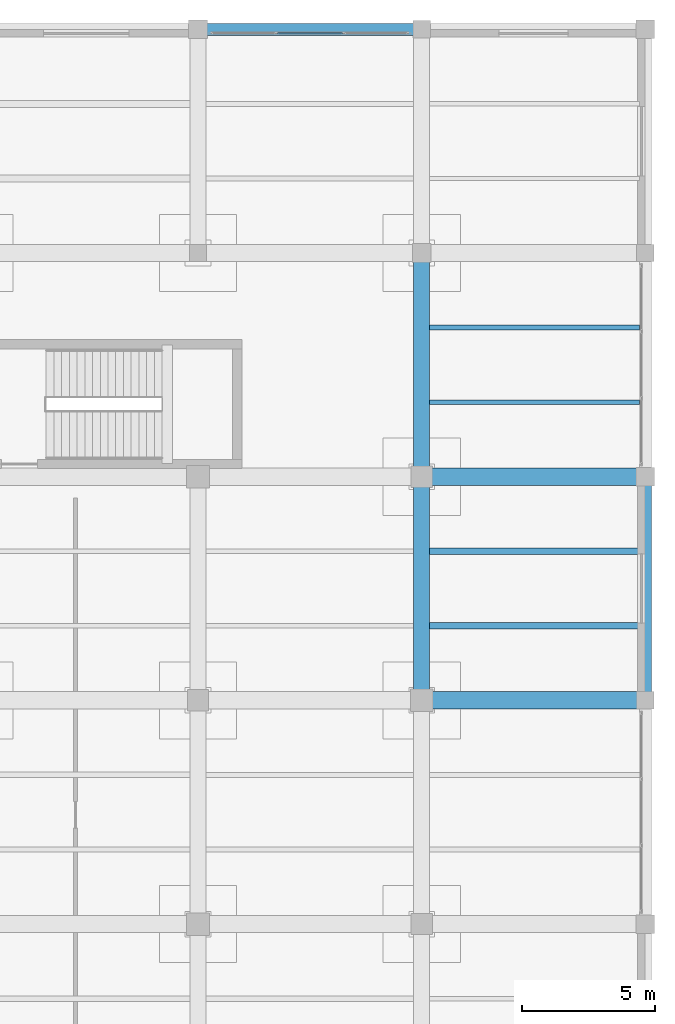
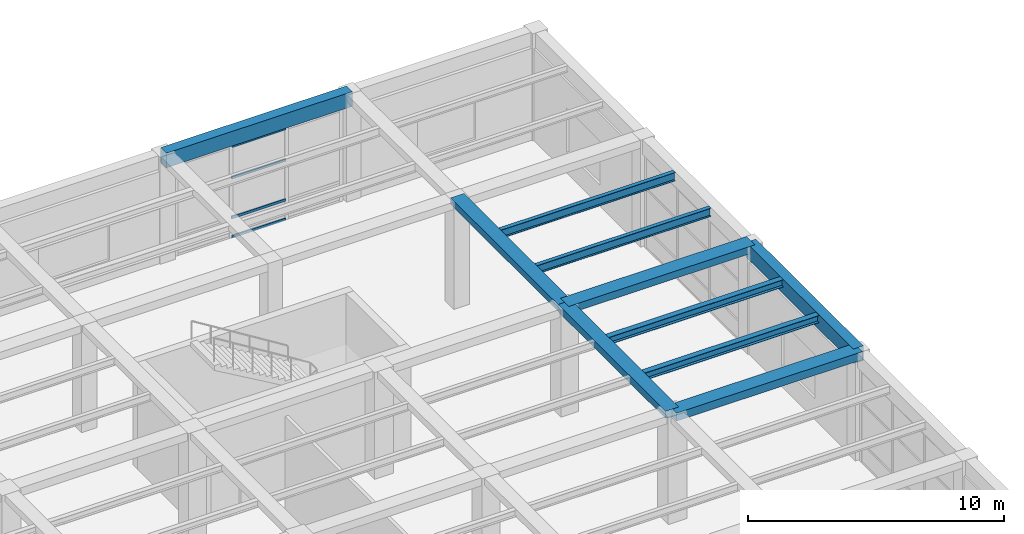
# One storey, part 64 of 96: 10 beams, 4 members, 1 element without a shape of its own.
"""IFC4 building model written with IfcOpenShell, lengths in metres."""

import ifcopenshell
import ifcopenshell.guid

model = None  # the IFC model being written
_history = None  # IfcOwnerHistory: only IFC2X3 demands one
_inside = {}  # id of a spatial element -> (the spatial element, [elements in it])
_under = {}  # id of a project, library or spatial element -> (it, [spatial elements below it])
_declared = {}  # id of a project -> (the project, [libraries it declares])
_typed = {}  # id of a type object -> (the type object, [elements of that type])
_made_of = {}  # id of a material, layer set ... -> (it, [elements and type objects made of it])


def new_model(schema):
    """Start an empty IFC model of exactly this schema.

    Asked for "IFC4X3", IfcOpenShell would pick the latest addendum, in which some entities
    have other attributes; the version numbers below select the first issue.
    IFC2X3 requires an IfcOwnerHistory on every rooted entity: one is made here for all.
    """
    global model, _history
    if schema == "IFC4X3":
        model = ifcopenshell.file(schema_version=(4, 3, 0, 0))
    else:
        model = ifcopenshell.file(schema=schema)
    _inside.clear()
    _under.clear()
    _declared.clear()
    _typed.clear()
    _made_of.clear()
    _history = None
    if model.schema == "IFC2X3":
        org = make("IfcOrganization", Name="unknown")
        user = make(
            "IfcPersonAndOrganization",
            ThePerson=make("IfcPerson", FamilyName="unknown"),
            TheOrganization=org,
        )
        app = make(
            "IfcApplication",
            ApplicationDeveloper=org,
            Version="unknown",
            ApplicationFullName="unknown",
            ApplicationIdentifier="unknown",
        )
        _history = make(
            "IfcOwnerHistory",
            OwningUser=user,
            OwningApplication=app,
            ChangeAction="ADDED",
            CreationDate=0,
        )
    return model


def make(cls, **values):
    """One entity of the class cls with the attributes given. An attribute that is None is left unset."""
    return model.create_entity(
        cls, **{name: value for name, value in values.items() if value is not None}
    )


def rooted(cls, **values):
    """An entity with a GlobalId (a new one), such as an element, a storey or a relation."""
    return make(cls, GlobalId=ifcopenshell.guid.new(), OwnerHistory=_history, **values)


def si_unit(unit_type, name, prefix=None):
    """IfcSIUnit, for example si_unit("LENGTHUNIT", "METRE", prefix="MILLI")."""
    return make("IfcSIUnit", UnitType=unit_type, Prefix=prefix, Name=name)


def assignment(units):
    """IfcUnitAssignment: the units of a project."""
    return None if units is None else make("IfcUnitAssignment", Units=units)


def point(xyz):
    """IfcCartesianPoint."""
    return None if xyz is None else make("IfcCartesianPoint", Coordinates=xyz)


def direction(xyz):
    """IfcDirection."""
    return None if xyz is None else make("IfcDirection", DirectionRatios=xyz)


def frame(location, z_axis=None, x_axis=None):
    """IfcAxis2Placement3D, a coordinate frame: its origin and axes. An axis left out is left unset."""
    return make(
        "IfcAxis2Placement3D",
        Location=point(location),
        Axis=direction(z_axis),
        RefDirection=direction(x_axis),
    )


def frame_2d(location, x_axis=None):
    """IfcAxis2Placement2D, a coordinate frame in the plane: its origin and x axis."""
    return make(
        "IfcAxis2Placement2D", Location=point(location), RefDirection=direction(x_axis)
    )


def origin():
    """The frame at (0, 0, 0) with its axes left unset."""
    return frame((0.0, 0.0, 0.0))


def origin_2d():
    """The frame at (0, 0) in the plane with its x axis left unset."""
    return frame_2d((0.0, 0.0))


def place(relative_to, where):
    """IfcLocalPlacement: puts the frame where relative to a parent placement (None: the world)."""
    return make(
        "IfcLocalPlacement", PlacementRelTo=relative_to, RelativePlacement=where
    )


def context(
    kind, dimensions, precision=None, world=None, true_north=None, identifier=None
):
    """IfcGeometricRepresentationContext, for example the 3D "Model" context."""
    return make(
        "IfcGeometricRepresentationContext",
        ContextIdentifier=identifier,
        ContextType=kind,
        CoordinateSpaceDimension=dimensions,
        Precision=precision,
        WorldCoordinateSystem=world,
        TrueNorth=true_north,
    )


def subcontext(parent, identifier, kind, view, scale=None):
    """IfcGeometricRepresentationSubContext, for example "Body" below "Model"."""
    return make(
        "IfcGeometricRepresentationSubContext",
        ContextIdentifier=identifier,
        ContextType=kind,
        ParentContext=parent,
        TargetScale=scale,
        TargetView=view,
    )


def project(units=None, contexts=None):
    """IfcProject with its units and contexts."""
    return rooted(
        "IfcProject",
        Name="project",
        RepresentationContexts=contexts,
        UnitsInContext=assignment(units),
    )


def spatial(cls, under=None, at=None, **own):
    """A site, building, storey or space (cls), placed at a placement, below another one or the project."""
    s = rooted(cls, ObjectPlacement=at, **own)
    if under is not None:
        _under.setdefault(under.id(), (under, []))[1].append(s)
    return s


def profile(cls, at=None, kind="AREA", **sizes):
    """A parametric profile (cls). Its sizes go by their IFC names, for example OverallWidth=200.0."""
    return make(cls, ProfileType=kind, Position=at, **sizes)


def rectangle(**sizes):
    """IfcRectangleProfileDef."""
    return profile("IfcRectangleProfileDef", **sizes)


def hollow_rectangle(**sizes):
    """IfcRectangleHollowProfileDef."""
    return profile("IfcRectangleHollowProfileDef", **sizes)


def i_section(**sizes):
    """IfcIShapeProfileDef."""
    return profile("IfcIShapeProfileDef", **sizes)


def extrude(swept, where, along, depth):
    """IfcExtrudedAreaSolid: the profile swept, set in the frame where, extruded along a direction by depth."""
    return make(
        "IfcExtrudedAreaSolid",
        SweptArea=swept,
        Position=where,
        ExtrudedDirection=direction(along),
        Depth=depth,
    )


def shape(context_of_items, identifier, shape_type, items):
    """IfcShapeRepresentation: the items that make up one representation, for example the "Body"."""
    return make(
        "IfcShapeRepresentation",
        ContextOfItems=context_of_items,
        RepresentationIdentifier=identifier,
        RepresentationType=shape_type,
        Items=items,
    )


def material(Name=None, Category=None):
    """IfcMaterial."""
    return make("IfcMaterial", Name=Name, Category=Category)


def material_profile(
    of_material, cross_section, Name=None, Category=None, Priority=None
):
    """IfcMaterialProfile: a cross section and its material."""
    return make(
        "IfcMaterialProfile",
        Name=Name,
        Material=of_material,
        Profile=cross_section,
        Priority=Priority,
        Category=Category,
    )


def profile_set(profiles, Name=None, composite=None):
    """IfcMaterialProfileSet."""
    return make(
        "IfcMaterialProfileSet",
        Name=Name,
        MaterialProfiles=profiles,
        CompositeProfile=composite,
    )


def made_of(thing, what):
    """Note that an element or type object is made of a material, layer set ...; save() writes the relation."""
    if what is not None:
        _made_of.setdefault(what.id(), (what, []))[1].append(thing)
    return thing


def type_object(cls, material=None, **own):
    """A type object (cls), such as IfcWallType, which elements share."""
    return made_of(rooted(cls, **own), material)


def element(
    cls,
    number,
    at=None,
    inside=None,
    cuts=None,
    type_object=None,
    material=None,
    context=None,
    identifier="Body",
    shape_type=None,
    held_by="IfcProductDefinitionShape",
    body=None,
    shapes=None,
    **own,
):
    """One element of the class cls, such as IfcWall. Its Tag is "e" and its number.

    at: its placement. inside: the storey or other place that contains it. cuts: it is an
    opening in that element (IfcRelVoidsElement). A single representation is given by context,
    identifier, shape_type and body (its items); several are given by shapes. held_by: the class
    of the entity that holds the representations. save() writes the other relations.
    """
    e = rooted(cls, Tag="e%d" % number, ObjectPlacement=at, **own)
    if body is not None:
        shapes = [shape(context, identifier, shape_type, body)]
    if shapes is not None:
        e.Representation = make(held_by, Representations=shapes)
    if inside is not None:
        _inside.setdefault(inside.id(), (inside, []))[1].append(e)
    if cuts is not None:
        rooted(
            "IfcRelVoidsElement", RelatingBuildingElement=cuts, RelatedOpeningElement=e
        )
    if type_object is not None:
        _typed.setdefault(type_object.id(), (type_object, []))[1].append(e)
    return made_of(e, material)


def aggregate(whole, parts):
    """IfcRelAggregates: a whole, such as a stair, and the parts it consists of."""
    return rooted("IfcRelAggregates", RelatingObject=whole, RelatedObjects=parts)


def save(model, path):
    """Write the relations noted so far, then the file.

    IfcRelAggregates (storeys below a building ...), IfcRelContainedInSpatialStructure (elements
    in a storey), IfcRelDefinesByType, IfcRelAssociatesMaterial and IfcRelDeclares: one each for
    every whole, place, type object, material and project.
    """
    for whole, parts in _under.values():
        aggregate(whole, parts)
    for where, things in _inside.values():
        rooted(
            "IfcRelContainedInSpatialStructure",
            RelatedElements=things,
            RelatingStructure=where,
        )
    for kind, things in _typed.values():
        rooted("IfcRelDefinesByType", RelatedObjects=things, RelatingType=kind)
    for what, things in _made_of.values():
        rooted("IfcRelAssociatesMaterial", RelatedObjects=things, RelatingMaterial=what)
    for by, libraries in _declared.values():
        rooted("IfcRelDeclares", RelatingContext=by, RelatedDefinitions=libraries)
    model.write(path)


model = new_model("IFC4")

# Units and contexts
model_context = context("Model", 3, precision=1e-05, world=origin(), true_north=direction((0.0, 1.0)))
body_context = subcontext(model_context, "Body", "Model", "MODEL_VIEW")
ifc_project = project(units=[si_unit("LENGTHUNIT", "METRE"), si_unit("AREAUNIT", "SQUARE_METRE"), si_unit("VOLUMEUNIT", "CUBIC_METRE"), si_unit("PLANEANGLEUNIT", "RADIAN"), si_unit("MASSUNIT", "GRAM", prefix="KILO")], contexts=[model_context])

# Site, building, storey
site_placement = place(None, origin())
site = spatial("IfcSite", under=ifc_project, at=site_placement, CompositionType="ELEMENT")
building_placement = place(site_placement, origin())
building = spatial("IfcBuilding", under=site, at=building_placement, Name="Almacenes y Pasaje Nevantli", CompositionType="ELEMENT")
storey_placement = place(building_placement, frame((0.0, 0.0, 6.0)))
storey = spatial("IfcBuildingStorey", under=building, at=storey_placement, Name="L02", CompositionType="ELEMENT", Elevation=6.0)

# Beams
ifc_material_1 = material(Name="Concrete C35/45", Category="concrete")
ifc_material_profile_1 = material_profile(ifc_material_1, rectangle(XDim=0.449951171875, YDim=0.699951171875, at=origin_2d()), Name="RC-BM-450x700")
ifc_profile_set_1 = profile_set([ifc_material_profile_1], Name="Concrete C35/45")
beam_type_1 = type_object("IfcBeamType", Name="BM-RC-450x700", PredefinedType="SPANDREL", material=ifc_profile_set_1)
for number, where, z_axis, x_axis, name in (
    (1, (151.199951171875, 117.60009765625, 4.75), (1.0, 0.0, 0.0), (0.0, 1.0, 0.0), "L02 East-West Reinforced Concrete Beam #1964"),
    (2, (168.0, 92.39990234375, 4.75), (0.0, 1.0, 0.0), (-1.0, 0.0, 0.0), "L02 North-South Reinforced Concrete Beam #2200"),
):
    element("IfcBeam", number, at=place(storey_placement, frame(where, z_axis=z_axis, x_axis=x_axis)), inside=storey, type_object=beam_type_1, Name=name, PredefinedType="SPANDREL", context=body_context, shape_type="SweptSolid", body=[
        extrude(rectangle(XDim=0.449951171875, YDim=0.699951171875, at=origin_2d()), origin(), (0.0, 0.0, 1.0), 8.400146484375),
    ])
ifc_material_2 = material(Name="Concrete C35/45", Category="concrete")
ifc_material_profile_2 = material_profile(ifc_material_2, rectangle(XDim=0.60009765625, YDim=0.320068359375, at=origin_2d()), Name="RC-BM-600x320")
ifc_profile_set_2 = profile_set([ifc_material_profile_2], Name="Concrete C35/45")
beam_type_2 = type_object("IfcBeamType", Name="BM-RC-600x320", PredefinedType="BEAM", material=ifc_profile_set_2)
beam_1_placement = place(storey_placement, frame((159.60009765625, 100.800048828125, 4.93994140625), z_axis=(0.0, 1.0, 0.0), x_axis=(-1.0, 0.0, 0.0)))
element("IfcBeam", 3, at=beam_1_placement, inside=storey, type_object=beam_type_2, Name="L02 North-South Reinforced Concrete Beam #2187", PredefinedType="BEAM", context=body_context, shape_type="SweptSolid", body=[
    extrude(rectangle(XDim=0.60009765625, YDim=0.320068359375, at=origin_2d()), origin(), (0.0, 0.0, 1.0), 8.39990234375),
])
ifc_material_3 = material(Name="Concrete C35/45", Category="concrete")
ifc_material_profile_3 = material_profile(ifc_material_3, rectangle(XDim=0.60009765625, YDim=0.340087890625, at=origin_2d()), Name="RC-BM-600x340")
ifc_profile_set_3 = profile_set([ifc_material_profile_3], Name="Concrete C35/45")
beam_type_3 = type_object("IfcBeamType", Name="BM-RC-600x340", PredefinedType="BEAM", material=ifc_profile_set_3)
beam_2_placement = place(storey_placement, frame((159.60009765625, 92.39990234375, 4.929931640625), z_axis=(0.0, 1.0, 0.0), x_axis=(-1.0, 0.0, 0.0)))
element("IfcBeam", 4, at=beam_2_placement, inside=storey, type_object=beam_type_3, Name="L02 North-South Reinforced Concrete Beam #2186", PredefinedType="BEAM", context=body_context, shape_type="SweptSolid", body=[
    extrude(rectangle(XDim=0.60009765625, YDim=0.340087890625, at=origin_2d()), origin(), (0.0, 0.0, 1.0), 8.400146484375),
])
ifc_material_4 = material(Name="Concrete C35/45", Category="concrete")
ifc_material_profile_4 = material_profile(ifc_material_4, rectangle(XDim=0.64990234375, YDim=0.35009765625, at=origin_2d()), Name="RC-BM-650x350")
ifc_profile_set_4 = profile_set([ifc_material_profile_4], Name="Concrete C35/45")
beam_type_4 = type_object("IfcBeamType", Name="BM-RC-650x350", PredefinedType="BEAM", material=ifc_profile_set_4)
beam_3_placement = place(storey_placement, frame((159.60009765625, 100.800048828125, 4.925048828125), z_axis=(1.0, 0.0, 0.0), x_axis=(0.0, 1.0, 0.0)))
element("IfcBeam", 5, at=beam_3_placement, inside=storey, type_object=beam_type_4, Name="L02 East-West Reinforced Concrete Beam #1928", PredefinedType="BEAM", context=body_context, shape_type="SweptSolid", body=[
    extrude(rectangle(XDim=0.64990234375, YDim=0.35009765625, at=origin_2d()), origin(), (0.0, 0.0, 1.0), 8.39990234375),
])
ifc_material_5 = material(Name="Concrete C35/45", Category="concrete")
ifc_material_profile_5 = material_profile(ifc_material_5, rectangle(XDim=0.64990234375, YDim=0.3798828125, at=origin_2d()), Name="RC-BM-650x380")
ifc_profile_set_5 = profile_set([ifc_material_profile_5], Name="Concrete C35/45")
beam_type_5 = type_object("IfcBeamType", Name="BM-RC-650x380", PredefinedType="BEAM", material=ifc_profile_set_5)
beam_4_placement = place(storey_placement, frame((159.60009765625, 92.39990234375, 4.909912109375), z_axis=(1.0, 0.0, 0.0), x_axis=(0.0, 1.0, 0.0)))
element("IfcBeam", 6, at=beam_4_placement, inside=storey, type_object=beam_type_5, Name="L02 East-West Reinforced Concrete Beam #1911", PredefinedType="BEAM", context=body_context, shape_type="SweptSolid", body=[
    extrude(rectangle(XDim=0.64990234375, YDim=0.3798828125, at=origin_2d()), origin(), (0.0, 0.0, 1.0), 8.39990234375),
])
ifc_material_6 = material(Name="Steel ASTM A992", Category="steel")
ifc_material_profile_6 = material_profile(ifc_material_6, i_section(OverallWidth=0.25390625, OverallDepth=0.35595703125, WebThickness=0.009521484375, FlangeThickness=0.016357421875, at=origin_2d()), Name="IR 356x79.0")
ifc_profile_set_6 = profile_set([ifc_material_profile_6], Name="Steel ASTM A992")
beam_type_6 = type_object("IfcBeamType", Name="BM-STL-IR-356x79p0", PredefinedType="JOIST", material=ifc_profile_set_6)
for number, where, z_axis, x_axis, name in (
    (7, (159.89990234375, 95.199951171875, 4.9140625), (1.0, 0.0, 0.0), (0.0, 1.0, 0.0), "L02 Secondary Steel Floor Joist #671"),
    (8, (159.89990234375, 98.0, 4.9140625), (1.0, 0.0, 0.0), (0.0, 1.0, 0.0), "L02 Secondary Steel Floor Joist #672"),
):
    element("IfcBeam", number, at=place(storey_placement, frame(where, z_axis=z_axis, x_axis=x_axis)), inside=storey, type_object=beam_type_6, Name=name, PredefinedType="JOIST", context=body_context, shape_type="SweptSolid", body=[
        extrude(i_section(OverallWidth=0.25390625, OverallDepth=0.35595703125, WebThickness=0.009521484375, FlangeThickness=0.016357421875, at=origin_2d()), origin(), (0.0, 0.0, 1.0), 7.875),
    ])
ifc_material_7 = material(Name="Steel ASTM A992", Category="steel")
ifc_material_profile_7 = material_profile(ifc_material_7, i_section(OverallWidth=0.178955078125, OverallDepth=0.406005859375, WebThickness=0.0087890625, FlangeThickness=0.014404296875, at=origin_2d()), Name="IR 406x67.0")
ifc_profile_set_7 = profile_set([ifc_material_profile_7], Name="Steel ASTM A992")
beam_type_7 = type_object("IfcBeamType", Name="BM-STL-IR-406x67p0", PredefinedType="JOIST", material=ifc_profile_set_7)
for number, where, z_axis, x_axis, name in (
    (9, (159.89990234375, 103.60009765625, 4.888916015625), (1.0, 0.0, 0.0), (0.0, 1.0, 0.0), "L02 Secondary Steel Floor Joist #673"),
    (10, (159.89990234375, 106.39990234375, 4.888916015625), (1.0, 0.0, 0.0), (0.0, 1.0, 0.0), "L02 Secondary Steel Floor Joist #674"),
):
    element("IfcBeam", number, at=place(storey_placement, frame(where, z_axis=z_axis, x_axis=x_axis)), inside=storey, type_object=beam_type_7, Name=name, PredefinedType="JOIST", context=body_context, shape_type="SweptSolid", body=[
        extrude(i_section(OverallWidth=0.178955078125, OverallDepth=0.406005859375, WebThickness=0.0087890625, FlangeThickness=0.014404296875, at=origin_2d()), origin(), (0.0, 0.0, 1.0), 7.875),
    ])

# Curtain wall, members
ifc_material_8 = material(Name="Thermally Broken Aluminium and Low-E Glass", Category="aluminium")
curtain_wall_type = type_object("IfcCurtainWallType", Name="CW-STF-BLVD", PredefinedType="USERDEFINED", material=ifc_material_8)
curtain_wall_placement = place(storey_placement, origin())
curtain_wall = element("IfcCurtainWall", 11, at=curtain_wall_placement, inside=storey, type_object=curtain_wall_type, Name="L02 North Boulevard Retail Curtain Wall Bay 19", ObjectType="STOREFRONT GLAZING", PredefinedType="USERDEFINED")
ifc_material_9 = material(Name="Thermally Broken Anodized Aluminium", Category="aluminium")
ifc_material_profile_8 = material_profile(ifc_material_9, hollow_rectangle(XDim=0.06005859375, YDim=0.1201171875, WallThickness=0.00341796875, at=origin_2d()), Name="ALU-TRN-60x120")
ifc_profile_set_8 = profile_set([ifc_material_profile_8], Name="Thermally Broken Anodized Aluminium")
member_type = type_object("IfcMemberType", Name="CW-TRN-130", PredefinedType="USERDEFINED", material=ifc_profile_set_8)
member_1_placement = place(storey_placement, frame((154.179931640625, 117.449951171875, 0.030029296875), z_axis=(1.0, 0.0, 0.0), x_axis=(0.0, 1.0, 0.0)))
member_1 = element("IfcMember", 12, at=member_1_placement, type_object=member_type, Name="CW-L02-011 transom 2.1", ObjectType="TRANSOM", PredefinedType="USERDEFINED", context=body_context, shape_type="SweptSolid", body=[
    extrude(hollow_rectangle(XDim=0.06005859375, YDim=0.1201171875, WallThickness=0.00341796875, at=origin_2d()), origin(), (0.0, 0.0, 1.0), 2.440185546875),
])
member_2_placement = place(storey_placement, frame((154.179931640625, 117.449951171875, 0.949951171875), z_axis=(1.0, 0.0, 0.0), x_axis=(0.0, 1.0, 0.0)))
member_2 = element("IfcMember", 13, at=member_2_placement, type_object=member_type, Name="CW-L02-011 transom 2.2", ObjectType="TRANSOM", PredefinedType="USERDEFINED", context=body_context, shape_type="SweptSolid", body=[
    extrude(hollow_rectangle(XDim=0.06005859375, YDim=0.1201171875, WallThickness=0.00341796875, at=origin_2d()), origin(), (0.0, 0.0, 1.0), 2.440185546875),
])
member_3_placement = place(storey_placement, frame((154.179931640625, 117.449951171875, 2.85009765625), z_axis=(1.0, 0.0, 0.0), x_axis=(0.0, 1.0, 0.0)))
member_3 = element("IfcMember", 14, at=member_3_placement, type_object=member_type, Name="CW-L02-011 transom 2.3", ObjectType="TRANSOM", PredefinedType="USERDEFINED", context=body_context, shape_type="SweptSolid", body=[
    extrude(hollow_rectangle(XDim=0.06005859375, YDim=0.1201171875, WallThickness=0.00341796875, at=origin_2d()), origin(), (0.0, 0.0, 1.0), 2.440185546875),
])
member_4_placement = place(storey_placement, frame((154.179931640625, 117.449951171875, 4.35009765625), z_axis=(1.0, 0.0, 0.0), x_axis=(0.0, 1.0, 0.0)))
member_4 = element("IfcMember", 15, at=member_4_placement, type_object=member_type, Name="CW-L02-011 transom 2.4", ObjectType="TRANSOM", PredefinedType="USERDEFINED", context=body_context, shape_type="SweptSolid", body=[
    extrude(hollow_rectangle(XDim=0.06005859375, YDim=0.1201171875, WallThickness=0.00341796875, at=origin_2d()), origin(), (0.0, 0.0, 1.0), 2.440185546875),
])
aggregate(curtain_wall, [member_1, member_2, member_3, member_4])

save(model, "model.ifc")
